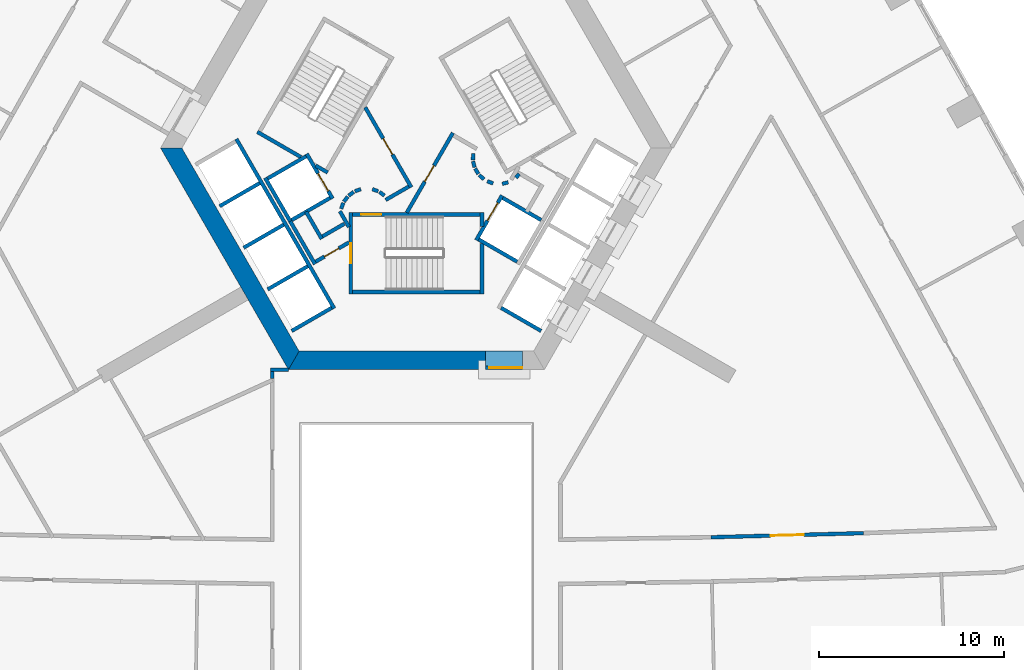
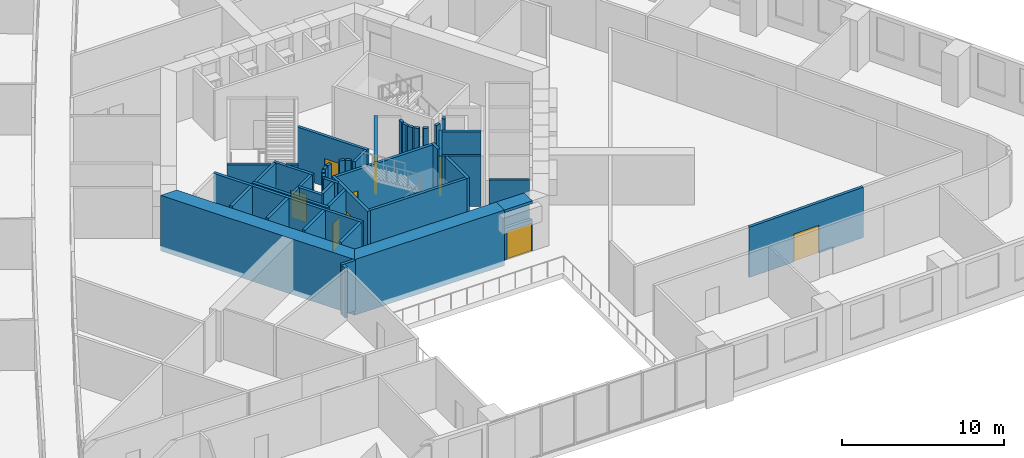
# One storey, part 6 of 13: 48 walls, 9 doors, 9 openings.
"""IFC4 building model written with IfcOpenShell, lengths in metres."""

from ifc_helpers import new_model, si_unit, direction, frame, frame_2d, origin, place, context, subcontext, project, spatial, polyline, rectangle, outline, extrude, material, layer, layer_set, type_object, element, fill, save


model = new_model("IFC4")

# Units and contexts
model_context = context("Model", 3, precision=1e-05, world=origin(), true_north=direction((0.0, 1.0)))
body_context = subcontext(model_context, "Body", "Model", "MODEL_VIEW")
ifc_project = project(units=[si_unit("LENGTHUNIT", "METRE"), si_unit("AREAUNIT", "SQUARE_METRE"), si_unit("VOLUMEUNIT", "CUBIC_METRE"), si_unit("PLANEANGLEUNIT", "RADIAN"), si_unit("MASSUNIT", "GRAM", prefix="KILO")], contexts=[model_context])

# Site, building, storey
site_placement = place(None, origin())
site = spatial("IfcSite", under=ifc_project, at=site_placement, CompositionType="ELEMENT")
building_placement = place(site_placement, origin())
building = spatial("IfcBuilding", under=site, at=building_placement, Name="Entoto Arch Interchange Tower", CompositionType="ELEMENT")
storey_placement = place(building_placement, frame((0.0, 0.0, 51.800048828125)))
storey = spatial("IfcBuildingStorey", under=building, at=storey_placement, Name="L10", CompositionType="ELEMENT", Elevation=51.800048828125)

# Wall, opening, door
ifc_material_1 = material(Name="Reinforced concrete C40/50", Category="concrete")
ifc_layer_1 = layer(ifc_material_1, 0.199951171875)
ifc_layer_set_1 = layer_set([ifc_layer_1], Name="Reinforced concrete C40/50")
wall_type_1 = type_object("IfcWallType", Name="CORE GAP INFILL WALL", PredefinedType="PARTITIONING", material=ifc_layer_set_1)
wall_1_placement = place(storey_placement, frame((3.75, -9.39990234375, 0.0), z_axis=(0.0, 0.0, 1.0), x_axis=(1.0, 0.0, 0.0)))
wall_1 = element("IfcWall", 1, at=wall_1_placement, inside=storey, type_object=wall_type_1, Name="wall:L10:gap1", PredefinedType="PARTITIONING", context=body_context, shape_type="SweptSolid", body=[
    extrude(rectangle(XDim=2.0, YDim=0.199951171875, at=frame_2d((1.0, 0.0))), origin(), (0.0, 0.0, 1.0), 2.39990234375),
])
opening_1_placement = place(wall_1_placement, frame((0.18994140625, 0.0, 0.0)))
opening_1 = element("IfcOpeningElement", 2, at=opening_1_placement, cuts=wall_1, Name="Opening L10-D91", PredefinedType="OPENING", context=body_context, shape_type="SweptSolid", body=[
    extrude(rectangle(XDim=1.800048828125, YDim=2.10009765625, at=frame_2d((0.89990234375, 1.050048828125))), frame((0.0, 0.10986328125, 0.0), z_axis=(0.0, -1.0, 0.0), x_axis=(1.0, 0.0, 0.0)), (0.0, 0.0, 1.0), 0.219970703125),
])
ifc_material_2 = material(Name="Fire-rated Steel S235 door and frame", Category="steel")
door_type_1 = type_object("IfcDoorType", Name="DOOR FD-18 1800x2100", OperationType="DOUBLE_DOOR_SINGLE_SWING", PredefinedType="DOOR", material=ifc_material_2)
door_1_placement = place(opening_1_placement, origin())
door_1 = element("IfcDoor", 3, at=door_1_placement, inside=storey, type_object=door_type_1, Name="door:L10:gap1", OperationType="DOUBLE_DOOR_SINGLE_SWING", OverallHeight=2.10009765625, OverallWidth=1.800048828125, PredefinedType="DOOR", context=body_context, shape_type="SweptSolid", body=[
    extrude(rectangle(XDim=1.800048828125, YDim=2.10009765625, at=frame_2d((0.89990234375, 1.050048828125))), frame((0.0, 0.02490234375, 0.0), z_axis=(0.0, -1.0, 0.0), x_axis=(1.0, 0.0, 0.0)), (0.0, 0.0, 1.0), 0.050048828125),
])
fill(opening_1, door_1)

# Walls
ifc_material_3 = material(Name="Concrete C60/75", Category="concrete")
ifc_layer_2 = layer(ifc_material_3, 1.0)
ifc_layer_set_2 = layer_set([ifc_layer_2], Name="Concrete C60/75")
wall_type_2 = type_object("IfcWallType", Name="Core wall 1000 C60/75", PredefinedType="SHEAR", material=ifc_layer_set_2)
wall_2_placement = place(storey_placement, frame((0.0, 0.0, -0.400146484375)))
element("IfcWall", 4, at=wall_2_placement, inside=storey, type_object=wall_type_2, Name="Core wall SW L10", PredefinedType="SHEAR", context=body_context, shape_type="SweptSolid", body=[
    extrude(outline(polyline([(-13.85595703125, 2.5), (-6.927978515625, -9.5), (-6.35107421875, -8.5), (-12.701904296875, 2.5), (-13.85595703125, 2.5)])), origin(), (0.0, 0.0, 1.0), 4.2001953125),
])
wall_3_placement = place(storey_placement, frame((0.0, 0.0, -0.400146484375)))
element("IfcWall", 5, at=wall_3_placement, inside=storey, type_object=wall_type_2, Name="Core wall S L10", PredefinedType="SHEAR", context=body_context, shape_type="SweptSolid", body=[
    extrude(outline(polyline([(3.75, -9.5), (3.75, -8.5), (-6.35107421875, -8.5), (-6.927978515625, -9.5), (3.75, -9.5)])), origin(), (0.0, 0.0, 1.0), 4.2001953125),
])
wall_4_placement = place(storey_placement, frame((0.0, 0.0, 3.599853515625)))
element("IfcWall", 6, at=wall_4_placement, inside=storey, type_object=wall_type_2, Name="Core wall lintel S L10", PredefinedType="SHEAR", context=body_context, shape_type="SweptSolid", body=[
    extrude(outline(polyline([(5.75, -9.5), (5.75, -8.5), (3.75, -8.5), (3.75, -9.5), (5.75, -9.5)])), origin(), (0.0, 0.0, 1.0), 0.2001953125),
])

# Wall, opening, door
ifc_material_4 = material(Name="Concrete C40/50", Category="concrete")
ifc_layer_3 = layer(ifc_material_4, 0.199951171875)
ifc_layer_set_3 = layer_set([ifc_layer_3], Name="Concrete C40/50")
wall_type_3 = type_object("IfcWallType", Name="LIFT SHAFT WALL 200", PredefinedType="STANDARD", material=ifc_layer_set_3)
wall_5_placement = place(storey_placement, frame((-5.93994140625, 2.18798828125, 0.0), z_axis=(0.0, 0.0, 1.0), x_axis=(0.49994636267, -0.866056369097, 0.0)))
wall_5 = element("IfcWall", 7, at=wall_5_placement, inside=storey, type_object=wall_type_3, Name="Shaft wall SW1 front", PredefinedType="STANDARD", context=body_context, shape_type="SweptSolid", body=[
    extrude(rectangle(XDim=2.800048828125, YDim=0.199951171875, at=frame_2d((1.39990234375, 0.0))), origin(), (0.0, 0.0, 1.0), 3.800048828125),
])
opening_2_placement = place(wall_5_placement, frame((1.22509765625, 0.0, 0.0)))
opening_2 = element("IfcOpeningElement", 8, at=opening_2_placement, cuts=wall_5, Name="Opening LD-FF2-L10", PredefinedType="OPENING", context=body_context, shape_type="SweptSolid", body=[
    extrude(rectangle(XDim=1.10009765625, YDim=2.10009765625, at=frame_2d((0.550048828125, 1.050048828125))), frame((0.0, 0.10986328125, 0.0), z_axis=(0.0, -1.0, 0.0), x_axis=(1.0, 0.0, 0.0)), (0.0, 0.0, 1.0), 0.219970703125),
])
ifc_material_5 = material(Name="Stainless steel 1.4301 panels", Category="steel")
door_type_2 = type_object("IfcDoorType", Name="LIFT LANDING DOOR LD1 1100x2100", OperationType="SLIDING_TO_LEFT", PredefinedType="DOOR", material=ifc_material_5)
door_2_placement = place(opening_2_placement, origin())
door_2 = element("IfcDoor", 9, at=door_2_placement, inside=storey, type_object=door_type_2, Name="Lift landing door FF2 L10", OperationType="SLIDING_TO_LEFT", OverallHeight=2.10009765625, OverallWidth=1.10009765625, PredefinedType="DOOR", context=body_context, shape_type="SweptSolid", body=[
    extrude(rectangle(XDim=1.10009765625, YDim=2.10009765625, at=frame_2d((0.550048828125, 1.050048828125))), frame((0.0, 0.02490234375, 0.0), z_axis=(0.0, -1.0, 0.0), x_axis=(1.0, 0.0, 0.0)), (0.0, 0.0, 1.0), 0.050048828125),
])
fill(opening_2, door_2)

# Walls
wall_6_placement = place(storey_placement, frame((-8.19189453125, 0.887939453125, 0.0), z_axis=(0.0, 0.0, 1.0), x_axis=(0.49994636267, -0.866056369097, 0.0)))
element("IfcWall", 10, at=wall_6_placement, inside=storey, type_object=wall_type_3, Name="Shaft wall SW1 back", PredefinedType="STANDARD", context=body_context, shape_type="SweptSolid", body=[
    extrude(rectangle(XDim=2.800048828125, YDim=0.199951171875, at=frame_2d((1.39990234375, 0.0))), origin(), (0.0, 0.0, 1.0), 3.800048828125),
])
for number, where, z_axis, x_axis, name in (
    (11, (-5.97705078125, 2.052001953125, 0.0), (0.0, 0.0, 1.0), (-0.865973769406, -0.500089422704, 0.0), "Shaft wall SW1 cross 1"),
    (12, (-4.677001953125, -0.199951171875, 0.0), (0.0, 0.0, 1.0), (-0.865973769406, -0.500089422704, 0.0), "Shaft wall SW1 cross 2"),
):
    element("IfcWall", number, at=place(storey_placement, frame(where, z_axis=z_axis, x_axis=x_axis)), inside=storey, type_object=wall_type_3, Name=name, PredefinedType="STANDARD", context=body_context, shape_type="SweptSolid", body=[
        extrude(rectangle(XDim=2.3994140625, YDim=0.199951171875, at=frame_2d((1.19970703125, 0.0))), origin(), (0.0, 0.0, 1.0), 3.800048828125),
    ])
wall_7_placement = place(storey_placement, frame((-9.7509765625, 2.989990234375, 0.0), z_axis=(0.0, 0.0, 1.0), x_axis=(0.50000090737, -0.866024879913, 0.0)))
element("IfcWall", 13, at=wall_7_placement, inside=storey, type_object=wall_type_3, Name="Shaft wall SW3 front", PredefinedType="STANDARD", context=body_context, shape_type="SweptSolid", body=[
    extrude(rectangle(XDim=10.60009765625, YDim=0.199951171875, at=frame_2d((5.300048828125, 0.0))), origin(), (0.0, 0.0, 1.0), 3.800048828125),
])
for number, where, z_axis, x_axis, name in (
    (14, (-8.488037109375, 0.60205078125, 0.0), (0.0, 0.0, 1.0), (-0.866022959057, -0.500004234368, 0.0), "Shaft wall SW3 cross 2"),
    (15, (-7.18798828125, -1.64990234375, 0.0), (0.0, 0.0, 1.0), (-0.866022959057, -0.500004234368, 0.0), "Shaft wall SW3 cross 3"),
    (16, (-5.887939453125, -3.902099609375, 0.0), (0.0, 0.0, 1.0), (-0.866022959057, -0.500004234368, 0.0), "Shaft wall SW3 cross 4"),
    (17, (-4.587890625, -6.153076171875, 0.0), (0.0, 0.0, 1.0), (-0.866022959057, -0.500004234368, 0.0), "Shaft wall SW3 cross 5"),
):
    element("IfcWall", number, at=place(storey_placement, frame(where, z_axis=z_axis, x_axis=x_axis)), inside=storey, type_object=wall_type_3, Name=name, PredefinedType="STANDARD", context=body_context, shape_type="SweptSolid", body=[
        extrude(rectangle(XDim=2.5, YDim=0.199951171875, at=frame_2d((1.25, 0.0))), origin(), (0.0, 0.0, 1.0), 3.800048828125),
    ])

# Wall, opening, door
wall_8_placement = place(storey_placement, frame((3.239990234375, -2.488037109375, 0.0), z_axis=(0.0, 0.0, 1.0), x_axis=(0.49994636267, 0.866056369097, 0.0)))
wall_8 = element("IfcWall", 18, at=wall_8_placement, inside=storey, type_object=wall_type_3, Name="Shaft wall SE1 front", PredefinedType="STANDARD", context=body_context, shape_type="SweptSolid", body=[
    extrude(rectangle(XDim=2.800048828125, YDim=0.199951171875, at=frame_2d((1.39990234375, 0.0))), origin(), (0.0, 0.0, 1.0), 3.800048828125),
])
opening_3_placement = place(wall_8_placement, frame((1.22509765625, 0.0, 0.0)))
opening_3 = element("IfcOpeningElement", 19, at=opening_3_placement, cuts=wall_8, Name="Opening LD-FF1-L10", PredefinedType="OPENING", context=body_context, shape_type="SweptSolid", body=[
    extrude(rectangle(XDim=1.10009765625, YDim=2.10009765625, at=frame_2d((0.550048828125, 1.050048828125))), frame((0.0, 0.10986328125, 0.0), z_axis=(0.0, -1.0, 0.0), x_axis=(1.0, 0.0, 0.0)), (0.0, 0.0, 1.0), 0.219970703125),
])
door_3_placement = place(opening_3_placement, origin())
door_3 = element("IfcDoor", 20, at=door_3_placement, inside=storey, type_object=door_type_2, Name="Lift landing door FF1 L10", OperationType="SLIDING_TO_LEFT", OverallHeight=2.10009765625, OverallWidth=1.10009765625, PredefinedType="DOOR", context=body_context, shape_type="SweptSolid", body=[
    extrude(rectangle(XDim=1.10009765625, YDim=2.10009765625, at=frame_2d((0.550048828125, 1.050048828125))), frame((0.0, 0.02490234375, 0.0), z_axis=(0.0, -1.0, 0.0), x_axis=(1.0, 0.0, 0.0)), (0.0, 0.0, 1.0), 0.050048828125),
])
fill(opening_3, door_3)

# Walls
wall_9_placement = place(storey_placement, frame((3.376953125, -2.451904296875, 0.0), z_axis=(0.0, 0.0, 1.0), x_axis=(0.865955154139, -0.50012165622, 0.0)))
element("IfcWall", 21, at=wall_9_placement, inside=storey, type_object=wall_type_3, Name="Shaft wall SE1 cross 1", PredefinedType="STANDARD", context=body_context, shape_type="SweptSolid", body=[
    extrude(rectangle(XDim=2.39990234375, YDim=0.199951171875, at=frame_2d((1.199951171875, 0.0))), origin(), (0.0, 0.0, 1.0), 3.800048828125),
])
wall_10_placement = place(storey_placement, frame((4.677001953125, -0.199951171875, 0.0), z_axis=(0.0, 0.0, 1.0), x_axis=(0.865973769406, -0.500089422704, 0.0)))
element("IfcWall", 22, at=wall_10_placement, inside=storey, type_object=wall_type_3, Name="Shaft wall SE1 cross 2", PredefinedType="STANDARD", context=body_context, shape_type="SweptSolid", body=[
    extrude(rectangle(XDim=2.3994140625, YDim=0.199951171875, at=frame_2d((1.19970703125, 0.0))), origin(), (0.0, 0.0, 1.0), 3.800048828125),
])
wall_11_placement = place(storey_placement, frame((4.587890625, -6.153076171875, 0.0), z_axis=(0.0, 0.0, 1.0), x_axis=(0.866022959057, -0.500004234368, 0.0)))
element("IfcWall", 23, at=wall_11_placement, inside=storey, type_object=wall_type_3, Name="Shaft wall SE3 cross 1", PredefinedType="STANDARD", context=body_context, shape_type="SweptSolid", body=[
    extrude(rectangle(XDim=2.5, YDim=0.199951171875, at=frame_2d((1.25, 0.0))), origin(), (0.0, 0.0, 1.0), 3.800048828125),
])

# Wall, opening, door
ifc_material_6 = material(Name="Gypsum board partition on steel studs", Category="steel")
ifc_layer_4 = layer(ifc_material_6, 0.199951171875)
ifc_layer_set_4 = layer_set([ifc_layer_4], Name="Gypsum board partition on steel studs")
wall_type_4 = type_object("IfcWallType", Name="PARTITION 200", PredefinedType="PARTITIONING", material=ifc_layer_set_4)
wall_12_placement = place(storey_placement, frame((15.950927734375, -18.5791015625, 0.0), z_axis=(0.0, 0.0, 1.0), x_axis=(0.999635034593, 0.027014766613, 0.0)))
wall_12 = element("IfcWall", 24, at=wall_12_placement, inside=storey, type_object=wall_type_4, Name="wall:L10:p019", PredefinedType="PARTITIONING", context=body_context, shape_type="SweptSolid", body=[
    extrude(rectangle(XDim=8.260009765625, YDim=0.199951171875, at=frame_2d((4.1298828125, 0.0))), origin(), (0.0, 0.0, 1.0), 3.800048828125),
])
opening_4_placement = place(wall_12_placement, frame((3.22998046875, 0.0, 0.0)))
opening_4 = element("IfcOpeningElement", 25, at=opening_4_placement, cuts=wall_12, Name="Opening L10-D16", PredefinedType="OPENING", context=body_context, shape_type="SweptSolid", body=[
    extrude(rectangle(XDim=1.800048828125, YDim=2.10009765625, at=frame_2d((0.89990234375, 1.050048828125))), frame((0.0, 0.10986328125, 0.0), z_axis=(0.0, -1.0, 0.0), x_axis=(1.0, 0.0, 0.0)), (0.0, 0.0, 1.0), 0.219970703125),
])
ifc_material_7 = material(Name="Timber door leaf in Steel S235 frame", Category="steel")
door_type_3 = type_object("IfcDoorType", Name="DOOR DD-18 1800x2100", OperationType="DOUBLE_DOOR_SINGLE_SWING", PredefinedType="DOOR", material=ifc_material_7)
door_4_placement = place(opening_4_placement, origin())
door_4 = element("IfcDoor", 26, at=door_4_placement, inside=storey, type_object=door_type_3, Name="door:L10:16", OperationType="DOUBLE_DOOR_SINGLE_SWING", OverallHeight=2.10009765625, OverallWidth=1.800048828125, PredefinedType="DOOR", context=body_context, shape_type="SweptSolid", body=[
    extrude(rectangle(XDim=1.800048828125, YDim=2.10009765625, at=frame_2d((0.89990234375, 1.050048828125))), frame((0.0, 0.02490234375, 0.0), z_axis=(0.0, -1.0, 0.0), x_axis=(1.0, 0.0, 0.0)), (0.0, 0.0, 1.0), 0.050048828125),
])
fill(opening_4, door_4)

# Walls
wall_13_placement = place(storey_placement, frame((5.389892578125, 0.89794921875, 0.0), z_axis=(0.0, 0.0, 1.0), x_axis=(0.673828488714, 0.738887791073, 0.0)))
element("IfcWall", 27, at=wall_13_placement, inside=storey, type_object=wall_type_4, Name="wall:L10:p079", PredefinedType="PARTITIONING", context=body_context, shape_type="SweptSolid", body=[
    extrude(rectangle(XDim=0.2626953125, YDim=0.199951171875, at=frame_2d((0.13134765625, 0.0))), origin(), (0.0, 0.0, 1.0), 3.800048828125),
])
wall_14_placement = place(storey_placement, frame((-3.89990234375, -1.59912109375, 0.0), z_axis=(0.0, 0.0, 1.0), x_axis=(-0.865969445389, -0.500096910261, 0.0)))
element("IfcWall", 28, at=wall_14_placement, inside=storey, type_object=wall_type_4, Name="wall:L10:p085", PredefinedType="PARTITIONING", context=body_context, shape_type="SweptSolid", body=[
    extrude(rectangle(XDim=1.373291015625, YDim=0.199951171875, at=frame_2d((0.6865234375, 0.0))), origin(), (0.0, 0.0, 1.0), 3.800048828125),
])
wall_15_placement = place(storey_placement, frame((-5.1259765625, -2.422119140625, 0.0), z_axis=(0.0, 0.0, 1.0), x_axis=(-0.500062241894, 0.865989465428, 0.0)))
element("IfcWall", 29, at=wall_15_placement, inside=storey, type_object=wall_type_4, Name="wall:L10:p086", PredefinedType="PARTITIONING", context=body_context, shape_type="SweptSolid", body=[
    extrude(rectangle(XDim=1.699951171875, YDim=0.199951171875, at=frame_2d((0.85009765625, 0.0))), origin(), (0.0, 0.0, 1.0), 3.800048828125),
])

# Wall, opening, door
wall_16_placement = place(storey_placement, frame((-3.64990234375, -2.610107421875, 0.0), z_axis=(0.0, 0.0, 1.0), x_axis=(-0.866072462134, -0.499918483688, 0.0)))
wall_16 = element("IfcWall", 30, at=wall_16_placement, inside=storey, type_object=wall_type_4, Name="wall:L10:p087", PredefinedType="PARTITIONING", context=body_context, shape_type="SweptSolid", body=[
    extrude(rectangle(XDim=2.084228515625, YDim=0.199951171875, at=frame_2d((1.0419921875, 0.0))), origin(), (0.0, 0.0, 1.0), 3.800048828125),
])
opening_5_placement = place(wall_16_placement, frame((0.64208984375, 0.0, 0.0)))
opening_5 = element("IfcOpeningElement", 31, at=opening_5_placement, cuts=wall_16, Name="Opening L10-D34", PredefinedType="OPENING", context=body_context, shape_type="SweptSolid", body=[
    extrude(rectangle(XDim=0.89990234375, YDim=2.10009765625, at=frame_2d((0.449951171875, 1.050048828125))), frame((0.0, 0.10986328125, 0.0), z_axis=(0.0, -1.0, 0.0), x_axis=(1.0, 0.0, 0.0)), (0.0, 0.0, 1.0), 0.219970703125),
])
door_type_4 = type_object("IfcDoorType", Name="DOOR DS-09 900x2100", OperationType="SINGLE_SWING_LEFT", PredefinedType="DOOR", material=ifc_material_7)
door_5_placement = place(opening_5_placement, origin())
door_5 = element("IfcDoor", 32, at=door_5_placement, inside=storey, type_object=door_type_4, Name="door:L10:34", OperationType="SINGLE_SWING_LEFT", OverallHeight=2.10009765625, OverallWidth=0.89990234375, PredefinedType="DOOR", context=body_context, shape_type="SweptSolid", body=[
    extrude(rectangle(XDim=0.89990234375, YDim=2.10009765625, at=frame_2d((0.449951171875, 1.050048828125))), frame((0.0, 0.02490234375, 0.0), z_axis=(0.0, -1.0, 0.0), x_axis=(1.0, 0.0, 0.0)), (0.0, 0.0, 1.0), 0.050048828125),
])
fill(opening_5, door_5)

# Walls
wall_17_placement = place(storey_placement, frame((-5.491943359375, -3.7880859375, 0.0), z_axis=(0.0, 0.0, 1.0), x_axis=(-0.500008949224, 0.866020236886, 0.0)))
element("IfcWall", 33, at=wall_17_placement, inside=storey, type_object=wall_type_4, Name="wall:L10:p088", PredefinedType="PARTITIONING", context=body_context, shape_type="SweptSolid", body=[
    extrude(rectangle(XDim=2.68017578125, YDim=0.199951171875, at=frame_2d((1.340087890625, 0.0))), origin(), (0.0, 0.0, 1.0), 3.800048828125),
])
wall_18_placement = place(storey_placement, frame((-4.14501953125, -0.919921875, 0.0), z_axis=(0.0, 0.0, 1.0), x_axis=(0.499743786207, -0.866173278362, 0.0)))
element("IfcWall", 34, at=wall_18_placement, inside=storey, type_object=wall_type_4, Name="wall:L10:p089", PredefinedType="PARTITIONING", context=body_context, shape_type="SweptSolid", body=[
    extrude(rectangle(XDim=0.99072265625, YDim=0.199951171875, at=frame_2d((0.495361328125, 0.0))), origin(), (0.0, 0.0, 1.0), 3.800048828125),
])

# Wall, opening, door
wall_19_placement = place(storey_placement, frame((-0.52001953125, -1.0, 0.0), z_axis=(0.0, 0.0, 1.0), x_axis=(0.50011622646, 0.865958290007, 0.0)))
wall_19 = element("IfcWall", 35, at=wall_19_placement, inside=storey, type_object=wall_type_4, Name="wall:L10:p094", PredefinedType="PARTITIONING", context=body_context, shape_type="SweptSolid", body=[
    extrude(rectangle(XDim=4.990966796875, YDim=0.199951171875, at=frame_2d((2.49560546875, 0.0))), origin(), (0.0, 0.0, 1.0), 3.800048828125),
])
opening_6_placement = place(wall_19_placement, frame((1.945068359375, 0.0, 0.0)))
opening_6 = element("IfcOpeningElement", 36, at=opening_6_placement, cuts=wall_19, Name="Opening L10-D31", PredefinedType="OPENING", context=body_context, shape_type="SweptSolid", body=[
    extrude(rectangle(XDim=1.0, YDim=2.10009765625, at=frame_2d((0.5, 1.050048828125))), frame((0.0, 0.10986328125, 0.0), z_axis=(0.0, -1.0, 0.0), x_axis=(1.0, 0.0, 0.0)), (0.0, 0.0, 1.0), 0.219970703125),
])
door_type_5 = type_object("IfcDoorType", Name="DOOR FD-10 1000x2100", OperationType="SINGLE_SWING_LEFT", PredefinedType="DOOR", material=ifc_material_2)
door_6_placement = place(opening_6_placement, origin())
door_6 = element("IfcDoor", 37, at=door_6_placement, inside=storey, type_object=door_type_5, Name="door:L10:31", OperationType="SINGLE_SWING_LEFT", OverallHeight=2.10009765625, OverallWidth=1.0, PredefinedType="DOOR", context=body_context, shape_type="SweptSolid", body=[
    extrude(rectangle(XDim=1.0, YDim=2.10009765625, at=frame_2d((0.5, 1.050048828125))), frame((0.0, 0.02490234375, 0.0), z_axis=(0.0, -1.0, 0.0), x_axis=(1.0, 0.0, 0.0)), (0.0, 0.0, 1.0), 0.050048828125),
])
fill(opening_6, door_6)

# Walls
wall_20_placement = place(storey_placement, frame((3.0791015625, 2.198974609375, 0.0), z_axis=(0.0, 0.0, 1.0), x_axis=(-0.047771483479, -0.998858290933, 0.0)))
element("IfcWall", 38, at=wall_20_placement, inside=storey, type_object=wall_type_4, Name="wall:L10:p096", PredefinedType="PARTITIONING", context=body_context, shape_type="SweptSolid", body=[
    extrude(rectangle(XDim=0.33740234375, YDim=0.199951171875, at=frame_2d((0.168701171875, 0.0))), origin(), (0.0, 0.0, 1.0), 3.800048828125),
])
wall_21_placement = place(storey_placement, frame((3.070068359375, 1.785888671875, 0.0), z_axis=(0.0, 0.0, 1.0), x_axis=(0.242705583207, -0.970099994784, 0.0)))
element("IfcWall", 39, at=wall_21_placement, inside=storey, type_object=wall_type_4, Name="wall:L10:p097", PredefinedType="PARTITIONING", context=body_context, shape_type="SweptSolid", body=[
    extrude(rectangle(XDim=0.337890625, YDim=0.199951171875, at=frame_2d((0.1689453125, 0.0))), origin(), (0.0, 0.0, 1.0), 3.800048828125),
])
for number, where, z_axis, x_axis, name in (
    (40, (3.181884765625, 1.387939453125, 0.0), (0.0, 0.0, 1.0), (0.512474702713, -0.85870232274, 0.0), "wall:L10:p098"),
    (41, (3.404052734375, 1.0390625, 0.0), (0.0, 0.0, 1.0), (0.740267097712, -0.672312891476, 0.0), "wall:L10:p099"),
):
    element("IfcWall", number, at=place(storey_placement, frame(where, z_axis=z_axis, x_axis=x_axis)), inside=storey, type_object=wall_type_4, Name=name, PredefinedType="PARTITIONING", context=body_context, shape_type="SweptSolid", body=[
        extrude(rectangle(XDim=0.337646484375, YDim=0.199951171875, at=frame_2d((0.1689453125, 0.0))), origin(), (0.0, 0.0, 1.0), 3.800048828125),
    ])
wall_22_placement = place(storey_placement, frame((3.837890625, 0.701904296875, 0.0), z_axis=(0.0, 0.0, 1.0), x_axis=(0.941035081519, -0.338308993895, 0.0)))
element("IfcWall", 42, at=wall_22_placement, inside=storey, type_object=wall_type_4, Name="wall:L10:p100", PredefinedType="PARTITIONING", context=body_context, shape_type="SweptSolid", body=[
    extrude(rectangle(XDim=0.3369140625, YDim=0.199951171875, at=frame_2d((0.16845703125, 0.0))), origin(), (0.0, 0.0, 1.0), 3.800048828125),
])
wall_23_placement = place(storey_placement, frame((4.64404296875, 0.56396484375, 0.0), z_axis=(0.0, 0.0, 1.0), x_axis=(0.969929076366, 0.243387729394, 0.0)))
element("IfcWall", 43, at=wall_23_placement, inside=storey, type_object=wall_type_4, Name="wall:L10:p101", PredefinedType="PARTITIONING", context=body_context, shape_type="SweptSolid", body=[
    extrude(rectangle(XDim=0.337158203125, YDim=0.199951171875, at=frame_2d((0.16845703125, 0.0))), origin(), (0.0, 0.0, 1.0), 3.800048828125),
])

# Wall, opening, door
wall_24_placement = place(storey_placement, frame((-2.77099609375, 4.699951171875, 0.0), z_axis=(0.0, 0.0, 1.0), x_axis=(0.499969479948, -0.866043023828, 0.0)))
wall_24 = element("IfcWall", 44, at=wall_24_placement, inside=storey, type_object=wall_type_4, Name="wall:L10:p102", PredefinedType="PARTITIONING", context=body_context, shape_type="SweptSolid", body=[
    extrude(rectangle(XDim=4.990478515625, YDim=0.199951171875, at=frame_2d((2.4951171875, 0.0))), origin(), (0.0, 0.0, 1.0), 3.800048828125),
])
opening_7_placement = place(wall_24_placement, frame((1.945068359375, 0.0, 0.0)))
opening_7 = element("IfcOpeningElement", 45, at=opening_7_placement, cuts=wall_24, Name="Opening L10-D32", PredefinedType="OPENING", context=body_context, shape_type="SweptSolid", body=[
    extrude(rectangle(XDim=1.0, YDim=2.10009765625, at=frame_2d((0.5, 1.050048828125))), frame((0.0, 0.10986328125, 0.0), z_axis=(0.0, -1.0, 0.0), x_axis=(1.0, 0.0, 0.0)), (0.0, 0.0, 1.0), 0.219970703125),
])
door_7_placement = place(opening_7_placement, origin())
door_7 = element("IfcDoor", 46, at=door_7_placement, inside=storey, type_object=door_type_5, Name="door:L10:32", OperationType="SINGLE_SWING_RIGHT", OverallHeight=2.10009765625, OverallWidth=1.0, PredefinedType="DOOR", context=body_context, shape_type="SweptSolid", body=[
    extrude(rectangle(XDim=1.0, YDim=2.10009765625, at=frame_2d((0.5, 1.050048828125))), frame((0.0, 0.02490234375, 0.0), z_axis=(0.0, -1.0, 0.0), x_axis=(1.0, 0.0, 0.0)), (0.0, 0.0, 1.0), 0.050048828125),
])
fill(opening_7, door_7)

# Walls
wall_25_placement = place(storey_placement, frame((-0.412109375, 0.4140625, 0.0), z_axis=(0.0, 0.0, 1.0), x_axis=(-0.866017369001, -0.500013916395, 0.0)))
element("IfcWall", 47, at=wall_25_placement, inside=storey, type_object=wall_type_4, Name="wall:L10:p103", PredefinedType="PARTITIONING", context=body_context, shape_type="SweptSolid", body=[
    extrude(rectangle(XDim=1.4501953125, YDim=0.199951171875, at=frame_2d((0.72509765625, 0.0))), origin(), (0.0, 0.0, 1.0), 3.800048828125),
])
wall_26_placement = place(storey_placement, frame((-1.73095703125, -0.076904296875, 0.0), z_axis=(0.0, 0.0, 1.0), x_axis=(-0.804311165252, 0.594208338422, 0.0)))
element("IfcWall", 48, at=wall_26_placement, inside=storey, type_object=wall_type_4, Name="wall:L10:p104", PredefinedType="PARTITIONING", context=body_context, shape_type="SweptSolid", body=[
    extrude(rectangle(XDim=0.338134765625, YDim=0.199951171875, at=frame_2d((0.1689453125, 0.0))), origin(), (0.0, 0.0, 1.0), 3.800048828125),
])
wall_27_placement = place(storey_placement, frame((-2.070068359375, 0.159912109375, 0.0), z_axis=(0.0, 0.0, 1.0), x_axis=(-0.942199461132, 0.335052496547, 0.0)))
element("IfcWall", 49, at=wall_27_placement, inside=storey, type_object=wall_type_4, Name="wall:L10:p105", PredefinedType="PARTITIONING", context=body_context, shape_type="SweptSolid", body=[
    extrude(rectangle(XDim=0.33740234375, YDim=0.199951171875, at=frame_2d((0.168701171875, 0.0))), origin(), (0.0, 0.0, 1.0), 3.800048828125),
])
wall_28_placement = place(storey_placement, frame((-3.011962890625, 0.27294921875, 0.0), z_axis=(0.0, 0.0, 1.0), x_axis=(-0.942280615813, -0.334824194261, 0.0)))
element("IfcWall", 50, at=wall_28_placement, inside=storey, type_object=wall_type_4, Name="wall:L10:p106", PredefinedType="PARTITIONING", context=body_context, shape_type="SweptSolid", body=[
    extrude(rectangle(XDim=0.337646484375, YDim=0.199951171875, at=frame_2d((0.1689453125, 0.0))), origin(), (0.0, 0.0, 1.0), 3.800048828125),
])
wall_29_placement = place(storey_placement, frame((-3.39697265625, 0.1240234375, 0.0), z_axis=(0.0, 0.0, 1.0), x_axis=(-0.804311165252, -0.594208338422, 0.0)))
element("IfcWall", 51, at=wall_29_placement, inside=storey, type_object=wall_type_4, Name="wall:L10:p107", PredefinedType="PARTITIONING", context=body_context, shape_type="SweptSolid", body=[
    extrude(rectangle(XDim=0.338134765625, YDim=0.199951171875, at=frame_2d((0.1689453125, 0.0))), origin(), (0.0, 0.0, 1.0), 3.800048828125),
])
wall_30_placement = place(storey_placement, frame((-3.722900390625, -0.131103515625, 0.0), z_axis=(0.0, 0.0, 1.0), x_axis=(-0.594675113454, -0.803966112121, 0.0)))
element("IfcWall", 52, at=wall_30_placement, inside=storey, type_object=wall_type_4, Name="wall:L10:p108", PredefinedType="PARTITIONING", context=body_context, shape_type="SweptSolid", body=[
    extrude(rectangle(XDim=0.33837890625, YDim=0.199951171875, at=frame_2d((0.169189453125, 0.0))), origin(), (0.0, 0.0, 1.0), 3.800048828125),
])
wall_31_placement = place(storey_placement, frame((-3.9599609375, -0.469970703125, 0.0), z_axis=(0.0, 0.0, 1.0), x_axis=(-0.334824194261, -0.942280615813, 0.0)))
element("IfcWall", 53, at=wall_31_placement, inside=storey, type_object=wall_type_4, Name="wall:L10:p109", PredefinedType="PARTITIONING", context=body_context, shape_type="SweptSolid", body=[
    extrude(rectangle(XDim=0.337646484375, YDim=0.199951171875, at=frame_2d((0.1689453125, 0.0))), origin(), (0.0, 0.0, 1.0), 3.800048828125),
])
wall_32_placement = place(storey_placement, frame((-7.800048828125, -9.971923828125, 0.0), z_axis=(0.0, 0.0, 1.0), x_axis=(0.0, 1.0, 0.0)))
element("IfcWall", 54, at=wall_32_placement, inside=storey, type_object=wall_type_4, Name="wall:L10:p111", PredefinedType="PARTITIONING", context=body_context, shape_type="SweptSolid", body=[
    extrude(rectangle(XDim=0.372802734375, YDim=0.199951171875, at=frame_2d((0.1865234375, 0.0))), origin(), (0.0, 0.0, 1.0), 3.800048828125),
])
wall_33_placement = place(storey_placement, frame((-7.89990234375, -9.4990234375, 0.0), z_axis=(0.0, 0.0, 1.0), x_axis=(1.0, 0.0, 0.0)))
element("IfcWall", 55, at=wall_33_placement, inside=storey, type_object=wall_type_4, Name="wall:L10:p112", PredefinedType="PARTITIONING", context=body_context, shape_type="SweptSolid", body=[
    extrude(rectangle(XDim=0.970947265625, YDim=0.199951171875, at=frame_2d((0.4853515625, 0.0))), origin(), (0.0, 0.0, 1.0), 3.800048828125),
])

# Wall, opening, door
ifc_layer_5 = layer(ifc_material_4, 0.199951171875)
ifc_layer_set_5 = layer_set([ifc_layer_5], Name="Concrete C40/50")
wall_type_5 = type_object("IfcWallType", Name="STAIR ENCLOSURE WALL 200", PredefinedType="STANDARD", material=ifc_layer_set_5)
wall_34_placement = place(storey_placement, frame((-3.550048828125, -1.0, 0.0), z_axis=(0.0, 0.0, 1.0), x_axis=(0.0, -1.0, 0.0)))
wall_34 = element("IfcWall", 56, at=wall_34_placement, inside=storey, type_object=wall_type_5, Name="Stair wall ST-S near", PredefinedType="STANDARD", context=body_context, shape_type="SweptSolid", body=[
    extrude(rectangle(XDim=4.39990234375, YDim=0.199951171875, at=frame_2d((2.199951171875, 0.0))), origin(), (0.0, 0.0, 1.0), 3.800048828125),
])
opening_8_placement = place(wall_34_placement, frame((1.64990234375, 0.0, 0.0)))
opening_8 = element("IfcOpeningElement", 57, at=opening_8_placement, cuts=wall_34, Name="Opening SD-ST-S-L10-E", PredefinedType="OPENING", context=body_context, shape_type="SweptSolid", body=[
    extrude(rectangle(XDim=1.10009765625, YDim=2.199951171875, at=frame_2d((0.550048828125, 1.10009765625))), frame((0.0, 0.10986328125, 0.0), z_axis=(0.0, -1.0, 0.0), x_axis=(1.0, 0.0, 0.0)), (0.0, 0.0, 1.0), 0.219970703125),
])
ifc_material_8 = material(Name="Steel S235", Category="steel")
door_type_6 = type_object("IfcDoorType", Name="STAIR DOOR SD1 1100x2200", OperationType="SINGLE_SWING_LEFT", PredefinedType="DOOR", material=ifc_material_8)
door_8_placement = place(opening_8_placement, origin())
door_8 = element("IfcDoor", 58, at=door_8_placement, inside=storey, type_object=door_type_6, Name="Stair door ST-S L10 end", OperationType="SINGLE_SWING_LEFT", OverallHeight=2.199951171875, OverallWidth=1.10009765625, PredefinedType="DOOR", context=body_context, shape_type="SweptSolid", body=[
    extrude(rectangle(XDim=1.10009765625, YDim=2.199951171875, at=frame_2d((0.550048828125, 1.10009765625))), frame((0.0, 0.02490234375, 0.0), z_axis=(0.0, -1.0, 0.0), x_axis=(1.0, 0.0, 0.0)), (0.0, 0.0, 1.0), 0.050048828125),
])
fill(opening_8, door_8)

# Walls
wall_35_placement = place(storey_placement, frame((3.550048828125, -2.6669921875, 0.0), z_axis=(0.0, 0.0, 1.0), x_axis=(0.0, -1.0, 0.0)))
element("IfcWall", 59, at=wall_35_placement, inside=storey, type_object=wall_type_5, Name="Stair wall ST-S far", PredefinedType="STANDARD", context=body_context, shape_type="SweptSolid", body=[
    extrude(rectangle(XDim=2.73291015625, YDim=0.199951171875, at=frame_2d((1.366455078125, 0.0))), origin(), (0.0, 0.0, 1.0), 3.800048828125),
])
wall_36_placement = place(storey_placement, frame((3.550048828125, -1.0, 0.0), z_axis=(0.0, 0.0, 1.0), x_axis=(0.0, -1.0, 0.0)))
element("IfcWall", 60, at=wall_36_placement, inside=storey, type_object=wall_type_5, Name="Stair wall ST-S far return", PredefinedType="STANDARD", context=body_context, shape_type="SweptSolid", body=[
    extrude(rectangle(XDim=0.7509765625, YDim=0.199951171875, at=frame_2d((0.37548828125, 0.0))), origin(), (0.0, 0.0, 1.0), 3.800048828125),
])

# Wall, opening, door
wall_37_placement = place(storey_placement, frame((-3.449951171875, -1.10009765625, 0.0), z_axis=(0.0, 0.0, 1.0), x_axis=(1.0, 0.0, 0.0)))
wall_37 = element("IfcWall", 61, at=wall_37_placement, inside=storey, type_object=wall_type_5, Name="Stair wall ST-S hall", PredefinedType="STANDARD", context=body_context, shape_type="SweptSolid", body=[
    extrude(rectangle(XDim=6.89990234375, YDim=0.199951171875, at=frame_2d((3.449951171875, 0.0))), origin(), (0.0, 0.0, 1.0), 3.800048828125),
])
opening_9_placement = place(wall_37_placement, frame((0.449951171875, 0.0, 0.0)))
opening_9 = element("IfcOpeningElement", 62, at=opening_9_placement, cuts=wall_37, Name="Opening SD-ST-S-L10", PredefinedType="OPENING", context=body_context, shape_type="SweptSolid", body=[
    extrude(rectangle(XDim=1.10009765625, YDim=2.199951171875, at=frame_2d((0.550048828125, 1.10009765625))), frame((0.0, 0.10986328125, 0.0), z_axis=(0.0, -1.0, 0.0), x_axis=(1.0, 0.0, 0.0)), (0.0, 0.0, 1.0), 0.219970703125),
])
door_9_placement = place(opening_9_placement, origin())
door_9 = element("IfcDoor", 63, at=door_9_placement, inside=storey, type_object=door_type_6, Name="Stair door ST-S L10", OperationType="SINGLE_SWING_LEFT", OverallHeight=2.199951171875, OverallWidth=1.10009765625, PredefinedType="DOOR", context=body_context, shape_type="SweptSolid", body=[
    extrude(rectangle(XDim=1.10009765625, YDim=2.199951171875, at=frame_2d((0.550048828125, 1.10009765625))), frame((0.0, 0.02490234375, 0.0), z_axis=(0.0, -1.0, 0.0), x_axis=(1.0, 0.0, 0.0)), (0.0, 0.0, 1.0), 0.050048828125),
])
fill(opening_9, door_9)

# Walls
wall_38_placement = place(storey_placement, frame((-3.449951171875, -5.300048828125, 0.0), z_axis=(0.0, 0.0, 1.0), x_axis=(1.0, 0.0, 0.0)))
element("IfcWall", 64, at=wall_38_placement, inside=storey, type_object=wall_type_5, Name="Stair wall ST-S back", PredefinedType="STANDARD", context=body_context, shape_type="SweptSolid", body=[
    extrude(rectangle(XDim=6.89990234375, YDim=0.199951171875, at=frame_2d((3.449951171875, 0.0))), origin(), (0.0, 0.0, 1.0), 3.800048828125),
])
wall_39_placement = place(storey_placement, frame((-6.25, 2.010009765625, 0.0), z_axis=(0.0, 0.0, 1.0), x_axis=(-0.86611865017, 0.499838457731, 0.0)))
element("IfcWall", 65, at=wall_39_placement, inside=storey, type_object=wall_type_5, Name="Stair wall ST-NW far", PredefinedType="STANDARD", context=body_context, shape_type="SweptSolid", body=[
    extrude(rectangle(XDim=2.73291015625, YDim=0.199951171875, at=frame_2d((1.366455078125, 0.0))), origin(), (0.0, 0.0, 1.0), 3.800048828125),
])
wall_40_placement = place(storey_placement, frame((-4.805908203125, 1.176025390625, 0.0), z_axis=(0.0, 0.0, 1.0), x_axis=(-0.866558586415, 0.499075361355, 0.0)))
element("IfcWall", 66, at=wall_40_placement, inside=storey, type_object=wall_type_5, Name="Stair wall ST-NW far return", PredefinedType="STANDARD", context=body_context, shape_type="SweptSolid", body=[
    extrude(rectangle(XDim=0.75146484375, YDim=0.199951171875, at=frame_2d((0.375732421875, 0.0))), origin(), (0.0, 0.0, 1.0), 3.800048828125),
])

save(model, "model.ifc")
